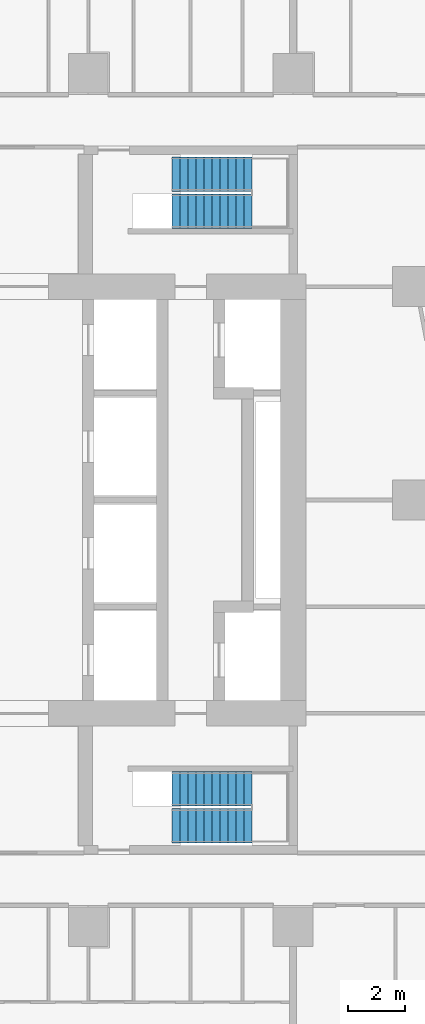
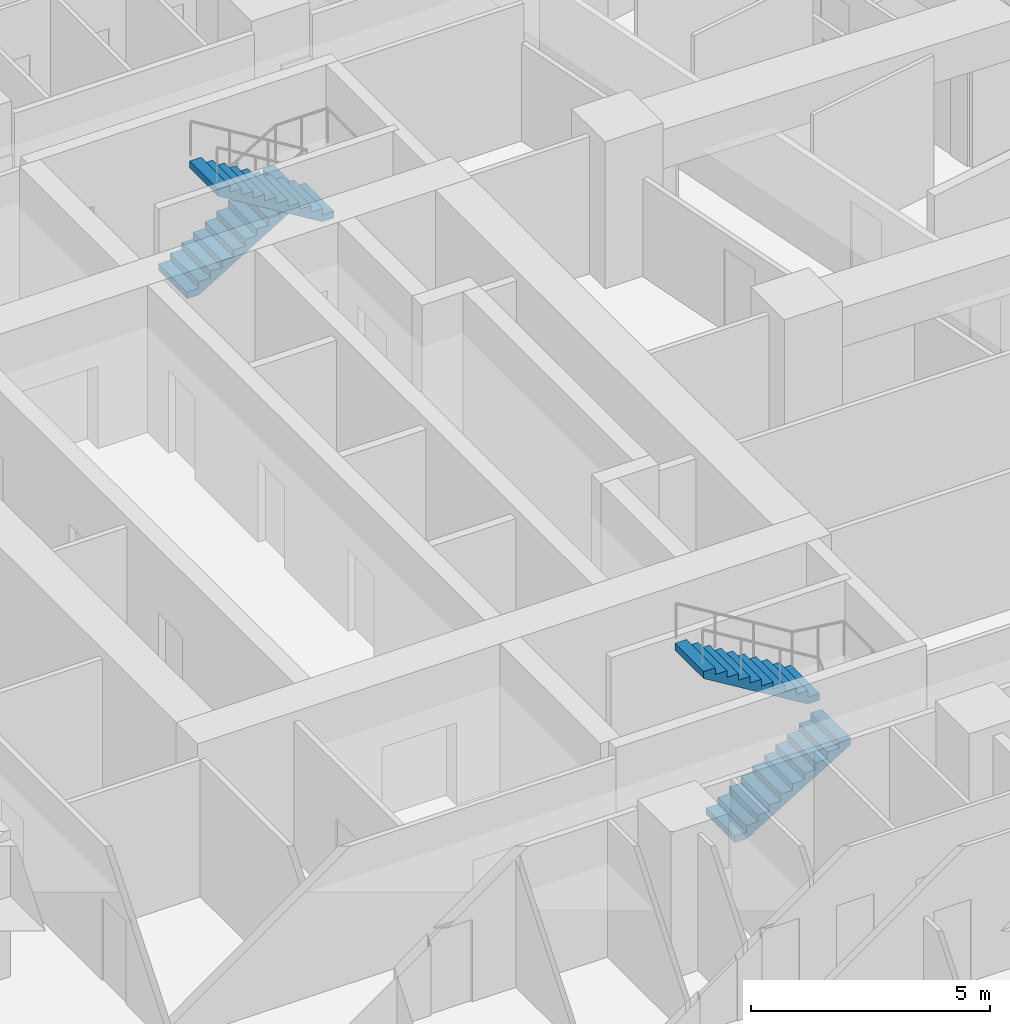
# One storey, part 15 of 17: 4 stair flights, 2 elements without a shape of their own.
"""IFC4 building model written with IfcOpenShell, lengths in metres."""

from ifc_helpers import new_model, si_unit, direction, frame, origin, place, context, subcontext, project, spatial, triangles, material, type_object, element, aggregate, save


model = new_model("IFC4")

# Units and contexts
model_context = context("Model", 3, precision=1e-05, world=origin(), true_north=direction((0.0, 1.0)))
body_context = subcontext(model_context, "Body", "Model", "MODEL_VIEW")
ifc_project = project(units=[si_unit("LENGTHUNIT", "METRE"), si_unit("AREAUNIT", "SQUARE_METRE"), si_unit("VOLUMEUNIT", "CUBIC_METRE"), si_unit("PLANEANGLEUNIT", "RADIAN"), si_unit("MASSUNIT", "GRAM", prefix="KILO")], contexts=[model_context])

# Site, building, storey
site_placement = place(None, origin())
site = spatial("IfcSite", under=ifc_project, at=site_placement, CompositionType="ELEMENT")
building_placement = place(site_placement, origin())
building = spatial("IfcBuilding", under=site, at=building_placement, Name="Sheger Commons Tower", CompositionType="ELEMENT")
storey_placement = place(building_placement, frame((0.0, 0.0, 193.699951171875)))
storey = spatial("IfcBuildingStorey", under=building, at=storey_placement, Name="L49", CompositionType="ELEMENT", Elevation=193.699951171875)

# Stair, stair flights
ifc_material_1 = material(Name="Concrete C35/45", Category="concrete")
stair_type = type_object("IfcStairType", Name="HALF-TURN STAIR 1200 RISE 3750", PredefinedType="HALF_TURN_STAIR", material=ifc_material_1)
stair_1_placement = place(storey_placement, origin())
stair_1 = element("IfcStair", 1, at=stair_1_placement, inside=storey, type_object=stair_type, Name="Stair S1 L49", PredefinedType="HALF_TURN_STAIR")
ifc_material_2 = material(Name="Concrete C35/45", Category="concrete")
stair_flight_type = type_object("IfcStairFlightType", Name="STAIR FLIGHT 1200 11 RISERS OF 170", PredefinedType="STRAIGHT", material=ifc_material_2)
stair_flight_1_placement = place(storey_placement, frame((24.550048828125, 11.050048828125, 0.0), z_axis=(0.0, 0.0, 1.0), x_axis=(1.0, 0.0, 0.0)))
stair_flight_1 = element("IfcStairFlight", 2, at=stair_flight_1_placement, type_object=stair_flight_type, Name="S1 flight 1", NumberOfRisers=11, NumberOfTreads=10, PredefinedType="STRAIGHT", RiserHeight=0.170454545, TreadLength=0.28, context=body_context, shape_type="Tessellation", body=[
    triangles([(0.0, 0.5999755859375, 0.0), (0.0, 0.5999755859375, 0.17041015625), (0.280029296875, 0.5999755859375, 0.17041015625), (0.280029296875, 0.5999755859375, 0.3408203125), (0.56005859375, 0.5999755859375, 0.3408203125), (0.56005859375, 0.5999755859375, 0.511474609375), (0.840087890625, 0.5999755859375, 0.511474609375), (0.840087890625, 0.5999755859375, 0.681884765625), (1.1201171875, 0.5999755859375, 0.681884765625), (1.1201171875, 0.5999755859375, 0.852294921875), (1.39990234375, 0.5999755859375, 0.852294921875), (1.39990234375, 0.5999755859375, 1.022705078125), (1.679931640625, 0.5999755859375, 1.022705078125), (1.679931640625, 0.5999755859375, 1.193115234375), (1.9599609375, 0.5999755859375, 1.193115234375), (1.9599609375, 0.5999755859375, 1.363525390625), (2.239990234375, 0.5999755859375, 1.363525390625), (2.239990234375, 0.5999755859375, 1.5341796875), (2.52001953125, 0.5999755859375, 1.5341796875), (2.52001953125, 0.5999755859375, 1.70458984375), (2.800048828125, 0.5999755859375, 1.70458984375), (2.800048828125, 0.5999755859375, 1.529052734375), (0.288330078125, 0.5999755859375, 0.0), (0.0, -0.5999755859375, 0.0), (0.0, -0.5999755859375, 0.17041015625), (0.280029296875, -0.5999755859375, 0.17041015625), (0.280029296875, -0.5999755859375, 0.3408203125), (0.56005859375, -0.5999755859375, 0.3408203125), (0.56005859375, -0.5999755859375, 0.511474609375), (0.840087890625, -0.5999755859375, 0.511474609375), (0.840087890625, -0.5999755859375, 0.681884765625), (1.1201171875, -0.5999755859375, 0.681884765625), (1.1201171875, -0.5999755859375, 0.852294921875), (1.39990234375, -0.5999755859375, 0.852294921875), (1.39990234375, -0.5999755859375, 1.022705078125), (1.679931640625, -0.5999755859375, 1.022705078125), (1.679931640625, -0.5999755859375, 1.193115234375), (1.9599609375, -0.5999755859375, 1.193115234375), (1.9599609375, -0.5999755859375, 1.363525390625), (2.239990234375, -0.5999755859375, 1.363525390625), (2.239990234375, -0.5999755859375, 1.5341796875), (2.52001953125, -0.5999755859375, 1.5341796875), (2.52001953125, -0.5999755859375, 1.70458984375), (2.800048828125, -0.5999755859375, 1.70458984375), (2.800048828125, -0.5999755859375, 1.529052734375), (0.288330078125, -0.5999755859375, 0.0), (0.0, 0.0, 0.085205078125), (0.1400146484375, 0.0, 0.17041015625), (0.280029296875, 0.0, 0.255615234375), (0.4200439453125, 0.0, 0.3408203125), (0.56005859375, 0.0, 0.4261474609375), (0.7000732421875, 0.0, 0.511474609375), (0.840087890625, 0.0, 0.5966796875), (0.9801025390625, 0.0, 0.681884765625), (1.1201171875, 0.0, 0.76708984375), (1.260009765625, 0.0, 0.852294921875), (1.39990234375, 0.0, 0.9375), (1.5399169921875, 0.0, 1.022705078125), (1.679931640625, 0.0, 1.10791015625), (1.8199462890625, 0.0, 1.193115234375), (1.9599609375, 0.0, 1.2783203125), (2.0999755859375, 0.0, 1.363525390625), (2.239990234375, 0.0, 1.4488525390625), (2.3800048828125, 0.0, 1.5341796875), (2.52001953125, 0.0, 1.619384765625), (2.6600341796875, 0.0, 1.70458984375), (2.800048828125, 0.0, 1.6168212890625), (1.544189453125, 0.0, 0.7645263671875), (0.1441650390625, 0.0, 0.0)], [[1, 22, 23], [24, 46, 45], [22, 20, 21], [45, 44, 43], [22, 19, 20], [45, 43, 42], [22, 18, 19], [45, 42, 41], [22, 17, 18], [45, 41, 40], [17, 15, 16], [40, 39, 38], [22, 15, 17], [45, 40, 38], [15, 13, 14], [38, 37, 36], [22, 13, 15], [45, 38, 36], [13, 11, 12], [36, 35, 34], [22, 11, 13], [45, 36, 34], [11, 9, 10], [34, 33, 32], [22, 9, 11], [45, 34, 32], [9, 7, 8], [32, 31, 30], [22, 7, 9], [45, 32, 30], [7, 5, 6], [30, 29, 28], [22, 5, 7], [45, 30, 28], [5, 3, 4], [28, 27, 26], [22, 3, 5], [45, 28, 26], [1, 3, 22], [24, 45, 26], [3, 1, 2], [26, 25, 24], [1, 47, 2], [2, 47, 25], [25, 47, 24], [24, 47, 1], [2, 48, 3], [3, 48, 26], [26, 48, 25], [25, 48, 2], [3, 49, 4], [4, 49, 27], [27, 49, 26], [26, 49, 3], [4, 50, 5], [5, 50, 28], [28, 50, 27], [27, 50, 4], [5, 51, 6], [6, 51, 29], [29, 51, 28], [28, 51, 5], [6, 52, 7], [7, 52, 30], [30, 52, 29], [29, 52, 6], [7, 53, 8], [8, 53, 31], [31, 53, 30], [30, 53, 7], [8, 54, 9], [9, 54, 32], [32, 54, 31], [31, 54, 8], [9, 55, 10], [10, 55, 33], [33, 55, 32], [32, 55, 9], [10, 56, 11], [11, 56, 34], [34, 56, 33], [33, 56, 10], [11, 57, 12], [12, 57, 35], [35, 57, 34], [34, 57, 11], [12, 58, 13], [13, 58, 36], [36, 58, 35], [35, 58, 12], [13, 59, 14], [14, 59, 37], [37, 59, 36], [36, 59, 13], [14, 60, 15], [15, 60, 38], [38, 60, 37], [37, 60, 14], [15, 61, 16], [16, 61, 39], [39, 61, 38], [38, 61, 15], [16, 62, 17], [17, 62, 40], [40, 62, 39], [39, 62, 16], [17, 63, 18], [18, 63, 41], [41, 63, 40], [40, 63, 17], [18, 64, 19], [19, 64, 42], [42, 64, 41], [41, 64, 18], [19, 65, 20], [20, 65, 43], [43, 65, 42], [42, 65, 19], [20, 66, 21], [21, 66, 44], [44, 66, 43], [43, 66, 20], [21, 67, 22], [22, 67, 45], [45, 67, 44], [44, 67, 21], [22, 68, 23], [23, 68, 46], [46, 68, 45], [45, 68, 22], [23, 69, 1], [1, 69, 24], [24, 69, 46], [46, 69, 23]], closed=True),
])
stair_flight_2_placement = place(storey_placement, frame((27.35009765625, 12.35009765625, 1.875), z_axis=(0.0, 0.0, 1.0), x_axis=(-1.0, 0.0, 0.0)))
stair_flight_2 = element("IfcStairFlight", 3, at=stair_flight_2_placement, type_object=stair_flight_type, Name="S1 flight 2", NumberOfRisers=11, NumberOfTreads=10, PredefinedType="STRAIGHT", RiserHeight=0.170454545, TreadLength=0.28, context=body_context, shape_type="Tessellation", body=[
    triangles([(0.0, 0.5999755859375, 0.0), (0.0, 0.5999755859375, 0.17041015625), (0.280029296875, 0.5999755859375, 0.17041015625), (0.280029296875, 0.5999755859375, 0.3408203125), (0.56005859375, 0.5999755859375, 0.3408203125), (0.56005859375, 0.5999755859375, 0.511474609375), (0.840087890625, 0.5999755859375, 0.511474609375), (0.840087890625, 0.5999755859375, 0.681884765625), (1.1201171875, 0.5999755859375, 0.681884765625), (1.1201171875, 0.5999755859375, 0.852294921875), (1.39990234375, 0.5999755859375, 0.852294921875), (1.39990234375, 0.5999755859375, 1.022705078125), (1.679931640625, 0.5999755859375, 1.022705078125), (1.679931640625, 0.5999755859375, 1.193115234375), (1.9599609375, 0.5999755859375, 1.193115234375), (1.9599609375, 0.5999755859375, 1.363525390625), (2.239990234375, 0.5999755859375, 1.363525390625), (2.239990234375, 0.5999755859375, 1.5341796875), (2.52001953125, 0.5999755859375, 1.5341796875), (2.52001953125, 0.5999755859375, 1.70458984375), (2.800048828125, 0.5999755859375, 1.70458984375), (2.800048828125, 0.5999755859375, 1.529052734375), (0.288330078125, 0.5999755859375, 0.0), (0.0, -0.5999755859375, 0.0), (0.0, -0.5999755859375, 0.17041015625), (0.280029296875, -0.5999755859375, 0.17041015625), (0.280029296875, -0.5999755859375, 0.3408203125), (0.56005859375, -0.5999755859375, 0.3408203125), (0.56005859375, -0.5999755859375, 0.511474609375), (0.840087890625, -0.5999755859375, 0.511474609375), (0.840087890625, -0.5999755859375, 0.681884765625), (1.1201171875, -0.5999755859375, 0.681884765625), (1.1201171875, -0.5999755859375, 0.852294921875), (1.39990234375, -0.5999755859375, 0.852294921875), (1.39990234375, -0.5999755859375, 1.022705078125), (1.679931640625, -0.5999755859375, 1.022705078125), (1.679931640625, -0.5999755859375, 1.193115234375), (1.9599609375, -0.5999755859375, 1.193115234375), (1.9599609375, -0.5999755859375, 1.363525390625), (2.239990234375, -0.5999755859375, 1.363525390625), (2.239990234375, -0.5999755859375, 1.5341796875), (2.52001953125, -0.5999755859375, 1.5341796875), (2.52001953125, -0.5999755859375, 1.70458984375), (2.800048828125, -0.5999755859375, 1.70458984375), (2.800048828125, -0.5999755859375, 1.529052734375), (0.288330078125, -0.5999755859375, 0.0), (0.0, 0.0, 0.085205078125), (0.1400146484375, 0.0, 0.17041015625), (0.280029296875, 0.0, 0.255615234375), (0.4200439453125, 0.0, 0.3408203125), (0.56005859375, 0.0, 0.4261474609375), (0.7000732421875, 0.0, 0.511474609375), (0.840087890625, 0.0, 0.5966796875), (0.9801025390625, 0.0, 0.681884765625), (1.1201171875, 0.0, 0.76708984375), (1.260009765625, 0.0, 0.852294921875), (1.39990234375, 0.0, 0.9375), (1.5399169921875, 0.0, 1.022705078125), (1.679931640625, 0.0, 1.10791015625), (1.8199462890625, 0.0, 1.193115234375), (1.9599609375, 0.0, 1.2783203125), (2.0999755859375, 0.0, 1.363525390625), (2.239990234375, 0.0, 1.4488525390625), (2.3800048828125, 0.0, 1.5341796875), (2.52001953125, 0.0, 1.619384765625), (2.6600341796875, 0.0, 1.70458984375), (2.800048828125, 0.0, 1.6168212890625), (1.544189453125, 0.0, 0.7645263671875), (0.1441650390625, 0.0, 0.0)], [[1, 22, 23], [24, 46, 45], [22, 20, 21], [45, 44, 43], [22, 19, 20], [45, 43, 42], [22, 18, 19], [45, 42, 41], [22, 17, 18], [45, 41, 40], [17, 15, 16], [40, 39, 38], [22, 15, 17], [45, 40, 38], [15, 13, 14], [38, 37, 36], [22, 13, 15], [45, 38, 36], [13, 11, 12], [36, 35, 34], [22, 11, 13], [45, 36, 34], [11, 9, 10], [34, 33, 32], [22, 9, 11], [45, 34, 32], [9, 7, 8], [32, 31, 30], [22, 7, 9], [45, 32, 30], [7, 5, 6], [30, 29, 28], [22, 5, 7], [45, 30, 28], [5, 3, 4], [28, 27, 26], [22, 3, 5], [45, 28, 26], [1, 3, 22], [24, 45, 26], [3, 1, 2], [26, 25, 24], [1, 47, 2], [2, 47, 25], [25, 47, 24], [24, 47, 1], [2, 48, 3], [3, 48, 26], [26, 48, 25], [25, 48, 2], [3, 49, 4], [4, 49, 27], [27, 49, 26], [26, 49, 3], [4, 50, 5], [5, 50, 28], [28, 50, 27], [27, 50, 4], [5, 51, 6], [6, 51, 29], [29, 51, 28], [28, 51, 5], [6, 52, 7], [7, 52, 30], [30, 52, 29], [29, 52, 6], [7, 53, 8], [8, 53, 31], [31, 53, 30], [30, 53, 7], [8, 54, 9], [9, 54, 32], [32, 54, 31], [31, 54, 8], [9, 55, 10], [10, 55, 33], [33, 55, 32], [32, 55, 9], [10, 56, 11], [11, 56, 34], [34, 56, 33], [33, 56, 10], [11, 57, 12], [12, 57, 35], [35, 57, 34], [34, 57, 11], [12, 58, 13], [13, 58, 36], [36, 58, 35], [35, 58, 12], [13, 59, 14], [14, 59, 37], [37, 59, 36], [36, 59, 13], [14, 60, 15], [15, 60, 38], [38, 60, 37], [37, 60, 14], [15, 61, 16], [16, 61, 39], [39, 61, 38], [38, 61, 15], [16, 62, 17], [17, 62, 40], [40, 62, 39], [39, 62, 16], [17, 63, 18], [18, 63, 41], [41, 63, 40], [40, 63, 17], [18, 64, 19], [19, 64, 42], [42, 64, 41], [41, 64, 18], [19, 65, 20], [20, 65, 43], [43, 65, 42], [42, 65, 19], [20, 66, 21], [21, 66, 44], [44, 66, 43], [43, 66, 20], [21, 67, 22], [22, 67, 45], [45, 67, 44], [44, 67, 21], [22, 68, 23], [23, 68, 46], [46, 68, 45], [45, 68, 22], [23, 69, 1], [1, 69, 24], [24, 69, 46], [46, 69, 23]], closed=True),
])
aggregate(stair_1, [stair_flight_1, stair_flight_2])

stair_2_placement = place(storey_placement, origin())
stair_2 = element("IfcStair", 4, at=stair_2_placement, inside=storey, type_object=stair_type, Name="Stair S2 L49", PredefinedType="HALF_TURN_STAIR")
stair_flight_3_placement = place(storey_placement, frame((24.550048828125, 33.949951171875, 0.0), z_axis=(0.0, 0.0, 1.0), x_axis=(1.0, 0.0, 0.0)))
stair_flight_3 = element("IfcStairFlight", 5, at=stair_flight_3_placement, type_object=stair_flight_type, Name="S2 flight 1", NumberOfRisers=11, NumberOfTreads=10, PredefinedType="STRAIGHT", RiserHeight=0.170454545, TreadLength=0.28, context=body_context, shape_type="Tessellation", body=[
    triangles([(0.0, 0.5999755859375, 0.0), (0.0, 0.5999755859375, 0.17041015625), (0.280029296875, 0.5999755859375, 0.17041015625), (0.280029296875, 0.5999755859375, 0.3408203125), (0.56005859375, 0.5999755859375, 0.3408203125), (0.56005859375, 0.5999755859375, 0.511474609375), (0.840087890625, 0.5999755859375, 0.511474609375), (0.840087890625, 0.5999755859375, 0.681884765625), (1.1201171875, 0.5999755859375, 0.681884765625), (1.1201171875, 0.5999755859375, 0.852294921875), (1.39990234375, 0.5999755859375, 0.852294921875), (1.39990234375, 0.5999755859375, 1.022705078125), (1.679931640625, 0.5999755859375, 1.022705078125), (1.679931640625, 0.5999755859375, 1.193115234375), (1.9599609375, 0.5999755859375, 1.193115234375), (1.9599609375, 0.5999755859375, 1.363525390625), (2.239990234375, 0.5999755859375, 1.363525390625), (2.239990234375, 0.5999755859375, 1.5341796875), (2.52001953125, 0.5999755859375, 1.5341796875), (2.52001953125, 0.5999755859375, 1.70458984375), (2.800048828125, 0.5999755859375, 1.70458984375), (2.800048828125, 0.5999755859375, 1.529052734375), (0.288330078125, 0.5999755859375, 0.0), (0.0, -0.5999755859375, 0.0), (0.0, -0.5999755859375, 0.17041015625), (0.280029296875, -0.5999755859375, 0.17041015625), (0.280029296875, -0.5999755859375, 0.3408203125), (0.56005859375, -0.5999755859375, 0.3408203125), (0.56005859375, -0.5999755859375, 0.511474609375), (0.840087890625, -0.5999755859375, 0.511474609375), (0.840087890625, -0.5999755859375, 0.681884765625), (1.1201171875, -0.5999755859375, 0.681884765625), (1.1201171875, -0.5999755859375, 0.852294921875), (1.39990234375, -0.5999755859375, 0.852294921875), (1.39990234375, -0.5999755859375, 1.022705078125), (1.679931640625, -0.5999755859375, 1.022705078125), (1.679931640625, -0.5999755859375, 1.193115234375), (1.9599609375, -0.5999755859375, 1.193115234375), (1.9599609375, -0.5999755859375, 1.363525390625), (2.239990234375, -0.5999755859375, 1.363525390625), (2.239990234375, -0.5999755859375, 1.5341796875), (2.52001953125, -0.5999755859375, 1.5341796875), (2.52001953125, -0.5999755859375, 1.70458984375), (2.800048828125, -0.5999755859375, 1.70458984375), (2.800048828125, -0.5999755859375, 1.529052734375), (0.288330078125, -0.5999755859375, 0.0), (0.0, 0.0, 0.085205078125), (0.1400146484375, 0.0, 0.17041015625), (0.280029296875, 0.0, 0.255615234375), (0.4200439453125, 0.0, 0.3408203125), (0.56005859375, 0.0, 0.4261474609375), (0.7000732421875, 0.0, 0.511474609375), (0.840087890625, 0.0, 0.5966796875), (0.9801025390625, 0.0, 0.681884765625), (1.1201171875, 0.0, 0.76708984375), (1.260009765625, 0.0, 0.852294921875), (1.39990234375, 0.0, 0.9375), (1.5399169921875, 0.0, 1.022705078125), (1.679931640625, 0.0, 1.10791015625), (1.8199462890625, 0.0, 1.193115234375), (1.9599609375, 0.0, 1.2783203125), (2.0999755859375, 0.0, 1.363525390625), (2.239990234375, 0.0, 1.4488525390625), (2.3800048828125, 0.0, 1.5341796875), (2.52001953125, 0.0, 1.619384765625), (2.6600341796875, 0.0, 1.70458984375), (2.800048828125, 0.0, 1.6168212890625), (1.544189453125, 0.0, 0.7645263671875), (0.1441650390625, 0.0, 0.0)], [[1, 22, 23], [24, 46, 45], [22, 20, 21], [45, 44, 43], [22, 19, 20], [45, 43, 42], [22, 18, 19], [45, 42, 41], [22, 17, 18], [45, 41, 40], [17, 15, 16], [40, 39, 38], [22, 15, 17], [45, 40, 38], [15, 13, 14], [38, 37, 36], [22, 13, 15], [45, 38, 36], [13, 11, 12], [36, 35, 34], [22, 11, 13], [45, 36, 34], [11, 9, 10], [34, 33, 32], [22, 9, 11], [45, 34, 32], [9, 7, 8], [32, 31, 30], [22, 7, 9], [45, 32, 30], [7, 5, 6], [30, 29, 28], [22, 5, 7], [45, 30, 28], [5, 3, 4], [28, 27, 26], [22, 3, 5], [45, 28, 26], [1, 3, 22], [24, 45, 26], [3, 1, 2], [26, 25, 24], [1, 47, 2], [2, 47, 25], [25, 47, 24], [24, 47, 1], [2, 48, 3], [3, 48, 26], [26, 48, 25], [25, 48, 2], [3, 49, 4], [4, 49, 27], [27, 49, 26], [26, 49, 3], [4, 50, 5], [5, 50, 28], [28, 50, 27], [27, 50, 4], [5, 51, 6], [6, 51, 29], [29, 51, 28], [28, 51, 5], [6, 52, 7], [7, 52, 30], [30, 52, 29], [29, 52, 6], [7, 53, 8], [8, 53, 31], [31, 53, 30], [30, 53, 7], [8, 54, 9], [9, 54, 32], [32, 54, 31], [31, 54, 8], [9, 55, 10], [10, 55, 33], [33, 55, 32], [32, 55, 9], [10, 56, 11], [11, 56, 34], [34, 56, 33], [33, 56, 10], [11, 57, 12], [12, 57, 35], [35, 57, 34], [34, 57, 11], [12, 58, 13], [13, 58, 36], [36, 58, 35], [35, 58, 12], [13, 59, 14], [14, 59, 37], [37, 59, 36], [36, 59, 13], [14, 60, 15], [15, 60, 38], [38, 60, 37], [37, 60, 14], [15, 61, 16], [16, 61, 39], [39, 61, 38], [38, 61, 15], [16, 62, 17], [17, 62, 40], [40, 62, 39], [39, 62, 16], [17, 63, 18], [18, 63, 41], [41, 63, 40], [40, 63, 17], [18, 64, 19], [19, 64, 42], [42, 64, 41], [41, 64, 18], [19, 65, 20], [20, 65, 43], [43, 65, 42], [42, 65, 19], [20, 66, 21], [21, 66, 44], [44, 66, 43], [43, 66, 20], [21, 67, 22], [22, 67, 45], [45, 67, 44], [44, 67, 21], [22, 68, 23], [23, 68, 46], [46, 68, 45], [45, 68, 22], [23, 69, 1], [1, 69, 24], [24, 69, 46], [46, 69, 23]], closed=True),
])
stair_flight_4_placement = place(storey_placement, frame((27.35009765625, 32.64990234375, 1.875), z_axis=(0.0, 0.0, 1.0), x_axis=(-1.0, 0.0, 0.0)))
stair_flight_4 = element("IfcStairFlight", 6, at=stair_flight_4_placement, type_object=stair_flight_type, Name="S2 flight 2", NumberOfRisers=11, NumberOfTreads=10, PredefinedType="STRAIGHT", RiserHeight=0.170454545, TreadLength=0.28, context=body_context, shape_type="Tessellation", body=[
    triangles([(0.0, 0.5999755859375, 0.0), (0.0, 0.5999755859375, 0.17041015625), (0.280029296875, 0.5999755859375, 0.17041015625), (0.280029296875, 0.5999755859375, 0.3408203125), (0.56005859375, 0.5999755859375, 0.3408203125), (0.56005859375, 0.5999755859375, 0.511474609375), (0.840087890625, 0.5999755859375, 0.511474609375), (0.840087890625, 0.5999755859375, 0.681884765625), (1.1201171875, 0.5999755859375, 0.681884765625), (1.1201171875, 0.5999755859375, 0.852294921875), (1.39990234375, 0.5999755859375, 0.852294921875), (1.39990234375, 0.5999755859375, 1.022705078125), (1.679931640625, 0.5999755859375, 1.022705078125), (1.679931640625, 0.5999755859375, 1.193115234375), (1.9599609375, 0.5999755859375, 1.193115234375), (1.9599609375, 0.5999755859375, 1.363525390625), (2.239990234375, 0.5999755859375, 1.363525390625), (2.239990234375, 0.5999755859375, 1.5341796875), (2.52001953125, 0.5999755859375, 1.5341796875), (2.52001953125, 0.5999755859375, 1.70458984375), (2.800048828125, 0.5999755859375, 1.70458984375), (2.800048828125, 0.5999755859375, 1.529052734375), (0.288330078125, 0.5999755859375, 0.0), (0.0, -0.5999755859375, 0.0), (0.0, -0.5999755859375, 0.17041015625), (0.280029296875, -0.5999755859375, 0.17041015625), (0.280029296875, -0.5999755859375, 0.3408203125), (0.56005859375, -0.5999755859375, 0.3408203125), (0.56005859375, -0.5999755859375, 0.511474609375), (0.840087890625, -0.5999755859375, 0.511474609375), (0.840087890625, -0.5999755859375, 0.681884765625), (1.1201171875, -0.5999755859375, 0.681884765625), (1.1201171875, -0.5999755859375, 0.852294921875), (1.39990234375, -0.5999755859375, 0.852294921875), (1.39990234375, -0.5999755859375, 1.022705078125), (1.679931640625, -0.5999755859375, 1.022705078125), (1.679931640625, -0.5999755859375, 1.193115234375), (1.9599609375, -0.5999755859375, 1.193115234375), (1.9599609375, -0.5999755859375, 1.363525390625), (2.239990234375, -0.5999755859375, 1.363525390625), (2.239990234375, -0.5999755859375, 1.5341796875), (2.52001953125, -0.5999755859375, 1.5341796875), (2.52001953125, -0.5999755859375, 1.70458984375), (2.800048828125, -0.5999755859375, 1.70458984375), (2.800048828125, -0.5999755859375, 1.529052734375), (0.288330078125, -0.5999755859375, 0.0), (0.0, 0.0, 0.085205078125), (0.1400146484375, 0.0, 0.17041015625), (0.280029296875, 0.0, 0.255615234375), (0.4200439453125, 0.0, 0.3408203125), (0.56005859375, 0.0, 0.4261474609375), (0.7000732421875, 0.0, 0.511474609375), (0.840087890625, 0.0, 0.5966796875), (0.9801025390625, 0.0, 0.681884765625), (1.1201171875, 0.0, 0.76708984375), (1.260009765625, 0.0, 0.852294921875), (1.39990234375, 0.0, 0.9375), (1.5399169921875, 0.0, 1.022705078125), (1.679931640625, 0.0, 1.10791015625), (1.8199462890625, 0.0, 1.193115234375), (1.9599609375, 0.0, 1.2783203125), (2.0999755859375, 0.0, 1.363525390625), (2.239990234375, 0.0, 1.4488525390625), (2.3800048828125, 0.0, 1.5341796875), (2.52001953125, 0.0, 1.619384765625), (2.6600341796875, 0.0, 1.70458984375), (2.800048828125, 0.0, 1.6168212890625), (1.544189453125, 0.0, 0.7645263671875), (0.1441650390625, 0.0, 0.0)], [[1, 22, 23], [24, 46, 45], [22, 20, 21], [45, 44, 43], [22, 19, 20], [45, 43, 42], [22, 18, 19], [45, 42, 41], [22, 17, 18], [45, 41, 40], [17, 15, 16], [40, 39, 38], [22, 15, 17], [45, 40, 38], [15, 13, 14], [38, 37, 36], [22, 13, 15], [45, 38, 36], [13, 11, 12], [36, 35, 34], [22, 11, 13], [45, 36, 34], [11, 9, 10], [34, 33, 32], [22, 9, 11], [45, 34, 32], [9, 7, 8], [32, 31, 30], [22, 7, 9], [45, 32, 30], [7, 5, 6], [30, 29, 28], [22, 5, 7], [45, 30, 28], [5, 3, 4], [28, 27, 26], [22, 3, 5], [45, 28, 26], [1, 3, 22], [24, 45, 26], [3, 1, 2], [26, 25, 24], [1, 47, 2], [2, 47, 25], [25, 47, 24], [24, 47, 1], [2, 48, 3], [3, 48, 26], [26, 48, 25], [25, 48, 2], [3, 49, 4], [4, 49, 27], [27, 49, 26], [26, 49, 3], [4, 50, 5], [5, 50, 28], [28, 50, 27], [27, 50, 4], [5, 51, 6], [6, 51, 29], [29, 51, 28], [28, 51, 5], [6, 52, 7], [7, 52, 30], [30, 52, 29], [29, 52, 6], [7, 53, 8], [8, 53, 31], [31, 53, 30], [30, 53, 7], [8, 54, 9], [9, 54, 32], [32, 54, 31], [31, 54, 8], [9, 55, 10], [10, 55, 33], [33, 55, 32], [32, 55, 9], [10, 56, 11], [11, 56, 34], [34, 56, 33], [33, 56, 10], [11, 57, 12], [12, 57, 35], [35, 57, 34], [34, 57, 11], [12, 58, 13], [13, 58, 36], [36, 58, 35], [35, 58, 12], [13, 59, 14], [14, 59, 37], [37, 59, 36], [36, 59, 13], [14, 60, 15], [15, 60, 38], [38, 60, 37], [37, 60, 14], [15, 61, 16], [16, 61, 39], [39, 61, 38], [38, 61, 15], [16, 62, 17], [17, 62, 40], [40, 62, 39], [39, 62, 16], [17, 63, 18], [18, 63, 41], [41, 63, 40], [40, 63, 17], [18, 64, 19], [19, 64, 42], [42, 64, 41], [41, 64, 18], [19, 65, 20], [20, 65, 43], [43, 65, 42], [42, 65, 19], [20, 66, 21], [21, 66, 44], [44, 66, 43], [43, 66, 20], [21, 67, 22], [22, 67, 45], [45, 67, 44], [44, 67, 21], [22, 68, 23], [23, 68, 46], [46, 68, 45], [45, 68, 22], [23, 69, 1], [1, 69, 24], [24, 69, 46], [46, 69, 23]], closed=True),
])
aggregate(stair_2, [stair_flight_3, stair_flight_4])

save(model, "model.ifc")
